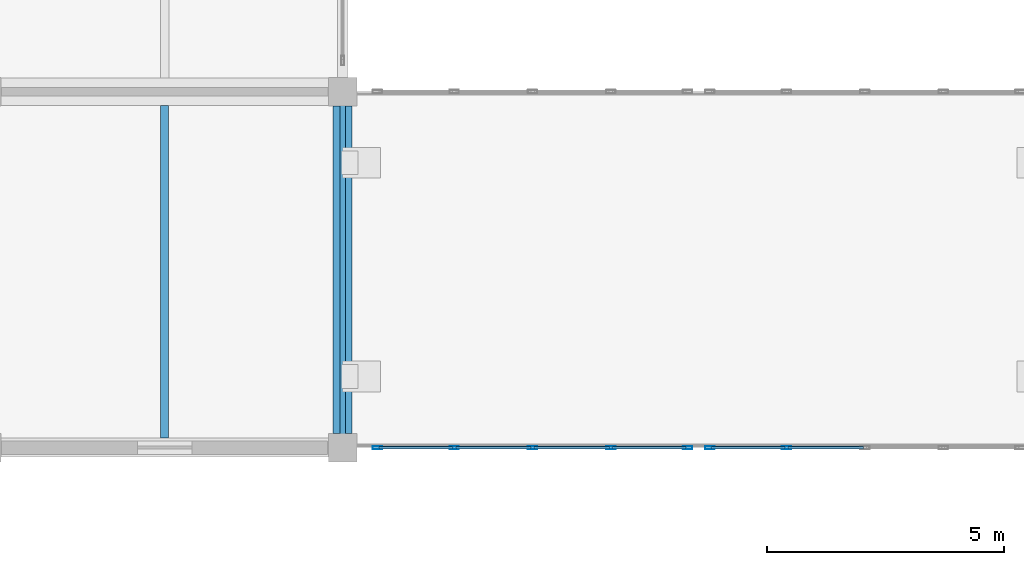
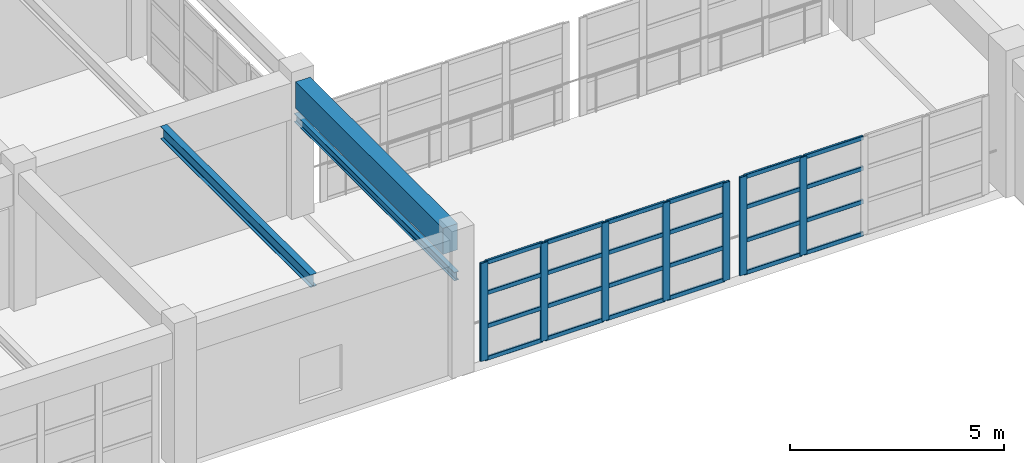
# One storey, part 44 of 124: 31 members, 3 beams, 2 elements without a shape of their own.
"""IFC4 building model written with IfcOpenShell, lengths in metres."""

from ifc_helpers import new_model, si_unit, direction, frame, origin, origin_2d, place, context, subcontext, project, spatial, rectangle, hollow_rectangle, i_section, extrude, material, material_profile, profile_set, type_object, element, aggregate, save


model = new_model("IFC4")

# Units and contexts
model_context = context("Model", 3, precision=1e-05, world=origin(), true_north=direction((0.0, 1.0)))
body_context = subcontext(model_context, "Body", "Model", "MODEL_VIEW")
ifc_project = project(units=[si_unit("LENGTHUNIT", "METRE"), si_unit("AREAUNIT", "SQUARE_METRE"), si_unit("VOLUMEUNIT", "CUBIC_METRE"), si_unit("PLANEANGLEUNIT", "RADIAN"), si_unit("MASSUNIT", "GRAM", prefix="KILO")], contexts=[model_context])

# Site, building, storey
site_placement = place(None, origin())
site = spatial("IfcSite", under=ifc_project, at=site_placement, CompositionType="ELEMENT")
building_placement = place(site_placement, origin())
building = spatial("IfcBuilding", under=site, at=building_placement, Name="Qasida Concert Hall", CompositionType="ELEMENT")
storey_placement = place(building_placement, frame((0.0, 0.0, 9.0)))
storey = spatial("IfcBuildingStorey", under=building, at=storey_placement, Name="L02", CompositionType="ELEMENT", Elevation=9.0)

# Beams
ifc_material_1 = material(Name="Steel S355J2", Category="steel")
ifc_material_profile_1 = material_profile(ifc_material_1, i_section(OverallWidth=0.169921875, OverallDepth=0.360107421875, WebThickness=0.008056640625, FlangeThickness=0.0126953125, FilletRadius=0.01806640625, at=origin_2d()), Name="IPE 360")
ifc_profile_set_1 = profile_set([ifc_material_profile_1], Name="Steel S355J2")
beam_type_1 = type_object("IfcBeamType", Name="BM-J2", PredefinedType="JOIST", material=ifc_profile_set_1)
beam_1_placement = place(storey_placement, frame((33.75, 75.199951171875, 3.719970703125), z_axis=(0.0, 1.0, 0.0), x_axis=(-1.0, 0.0, 0.0)))
element("IfcBeam", 1, at=beam_1_placement, inside=storey, type_object=beam_type_1, Name="L02 secondary joist 1505", PredefinedType="JOIST", context=body_context, shape_type="SweptSolid", body=[
    extrude(i_section(OverallWidth=0.169921875, OverallDepth=0.360107421875, WebThickness=0.008056640625, FlangeThickness=0.0126953125, FilletRadius=0.01806640625, at=origin_2d()), origin(), (0.0, 0.0, 1.0), 7.010009765625),
])
ifc_material_profile_2 = material_profile(ifc_material_1, i_section(OverallWidth=0.1201171875, OverallDepth=0.239990234375, WebThickness=0.006103515625, FlangeThickness=0.009765625, FilletRadius=0.014892578125, at=origin_2d()), Name="IPE 240")
ifc_profile_set_2 = profile_set([ifc_material_profile_2], Name="Steel S355J2")
beam_type_2 = type_object("IfcBeamType", Name="BM-LN2", PredefinedType="LINTEL", material=ifc_profile_set_2)
beam_2_placement = place(storey_placement, frame((37.5, 75.0, 2.64990234375), z_axis=(0.0, 1.0, 0.0), x_axis=(-1.0, 0.0, 0.0)))
element("IfcBeam", 2, at=beam_2_placement, inside=storey, type_object=beam_type_2, Name="L02 portal lintel beam 013", PredefinedType="LINTEL", context=body_context, shape_type="SweptSolid", body=[
    extrude(i_section(OverallWidth=0.1201171875, OverallDepth=0.239990234375, WebThickness=0.006103515625, FlangeThickness=0.009765625, FilletRadius=0.014892578125, at=origin_2d()), origin(), (0.0, 0.0, 1.0), 7.5),
])
ifc_material_2 = material(Name="Concrete C40/50", Category="concrete")
ifc_material_profile_3 = material_profile(ifc_material_2, rectangle(XDim=0.39990234375, YDim=0.75, at=origin_2d()), Name="RC 400x750")
ifc_profile_set_3 = profile_set([ifc_material_profile_3], Name="Concrete C40/50")
beam_type_3 = type_object("IfcBeamType", Name="BM-SP1", PredefinedType="SPANDREL", material=ifc_profile_set_3)
beam_3_placement = place(storey_placement, frame((37.5, 75.300048828125, 3.52490234375), z_axis=(0.0, 1.0, 0.0), x_axis=(-1.0, 0.0, 0.0)))
element("IfcBeam", 3, at=beam_3_placement, inside=storey, type_object=beam_type_3, Name="L02 girder 1482", PredefinedType="SPANDREL", context=body_context, shape_type="SweptSolid", body=[
    extrude(rectangle(XDim=0.39990234375, YDim=0.75, at=origin_2d()), origin(), (0.0, 0.0, 1.0), 6.89990234375),
])

# Curtain wall, members
ifc_material_3 = material(Name="Architectural bronze-anodized aluminium and low-E glass", Category="aluminium")
curtain_wall_type = type_object("IfcCurtainWallType", Name="CW-08", PredefinedType="NOTDEFINED", material=ifc_material_3)
curtain_wall_1_placement = place(storey_placement, origin())
curtain_wall_1 = element("IfcCurtainWall", 4, at=curtain_wall_1_placement, inside=storey, type_object=curtain_wall_type, Name="L02 link bridge glazing 0218", PredefinedType="NOTDEFINED")
ifc_material_4 = material(Name="Architectural bronze-anodized aluminium EN AW-6063", Category="aluminium")
ifc_material_profile_4 = material_profile(ifc_material_4, hollow_rectangle(XDim=0.06494140625, YDim=0.199951171875, WallThickness=0.0048828125, InnerFilletRadius=0.0048828125, OuterFilletRadius=0.010009765625, at=origin_2d()), Name="CWM 200x65x5")
ifc_profile_set_4 = profile_set([ifc_material_profile_4], Name="Architectural bronze-anodized aluminium EN AW-6063")
member_type_1 = type_object("IfcMemberType", Name="MB-CWM-2", PredefinedType="MULLION", material=ifc_profile_set_4)
member_1_placement = place(storey_placement, frame((38.232421875, 75.0, 0.0), z_axis=(0.0, 0.0, 1.0), x_axis=(0.0, 1.0, 0.0)))
member_1 = element("IfcMember", 5, at=member_1_placement, type_object=member_type_1, Name="CW-08 mullion 1", PredefinedType="MULLION", context=body_context, shape_type="SweptSolid", body=[
    extrude(hollow_rectangle(XDim=0.06494140625, YDim=0.199951171875, WallThickness=0.0048828125, InnerFilletRadius=0.0048828125, OuterFilletRadius=0.010009765625, at=origin_2d()), origin(), (0.0, 0.0, 1.0), 2.800048828125),
])
member_2_placement = place(storey_placement, frame((39.85009765625, 75.0, 0.0), z_axis=(0.0, 0.0, 1.0), x_axis=(0.0, 1.0, 0.0)))
member_2 = element("IfcMember", 6, at=member_2_placement, type_object=member_type_1, Name="CW-08 mullion 2", PredefinedType="MULLION", context=body_context, shape_type="SweptSolid", body=[
    extrude(hollow_rectangle(XDim=0.06494140625, YDim=0.199951171875, WallThickness=0.0048828125, InnerFilletRadius=0.0048828125, OuterFilletRadius=0.010009765625, at=origin_2d()), origin(), (0.0, 0.0, 1.0), 2.800048828125),
])
member_3_placement = place(storey_placement, frame((41.5, 75.0, 0.0), z_axis=(0.0, 0.0, 1.0), x_axis=(0.0, 1.0, 0.0)))
member_3 = element("IfcMember", 7, at=member_3_placement, type_object=member_type_1, Name="CW-08 mullion 3", PredefinedType="MULLION", context=body_context, shape_type="SweptSolid", body=[
    extrude(hollow_rectangle(XDim=0.06494140625, YDim=0.199951171875, WallThickness=0.0048828125, InnerFilletRadius=0.0048828125, OuterFilletRadius=0.010009765625, at=origin_2d()), origin(), (0.0, 0.0, 1.0), 2.800048828125),
])
member_4_placement = place(storey_placement, frame((43.14990234375, 75.0, 0.0), z_axis=(0.0, 0.0, 1.0), x_axis=(0.0, 1.0, 0.0)))
member_4 = element("IfcMember", 8, at=member_4_placement, type_object=member_type_1, Name="CW-08 mullion 4", PredefinedType="MULLION", context=body_context, shape_type="SweptSolid", body=[
    extrude(hollow_rectangle(XDim=0.06494140625, YDim=0.199951171875, WallThickness=0.0048828125, InnerFilletRadius=0.0048828125, OuterFilletRadius=0.010009765625, at=origin_2d()), origin(), (0.0, 0.0, 1.0), 2.800048828125),
])
member_5_placement = place(storey_placement, frame((44.767578125, 75.0, 0.0), z_axis=(0.0, 0.0, 1.0), x_axis=(0.0, 1.0, 0.0)))
member_5 = element("IfcMember", 9, at=member_5_placement, type_object=member_type_1, Name="CW-08 mullion 5", PredefinedType="MULLION", context=body_context, shape_type="SweptSolid", body=[
    extrude(hollow_rectangle(XDim=0.06494140625, YDim=0.199951171875, WallThickness=0.0048828125, InnerFilletRadius=0.0048828125, OuterFilletRadius=0.010009765625, at=origin_2d()), origin(), (0.0, 0.0, 1.0), 2.800048828125),
])

curtain_wall_2_placement = place(storey_placement, origin())
curtain_wall_2 = element("IfcCurtainWall", 10, at=curtain_wall_2_placement, inside=storey, type_object=curtain_wall_type, Name="L02 link bridge glazing 0220", PredefinedType="NOTDEFINED")
member_6_placement = place(storey_placement, frame((45.232421875, 75.0, 0.0), z_axis=(0.0, 0.0, 1.0), x_axis=(0.0, 1.0, 0.0)))
member_6 = element("IfcMember", 11, at=member_6_placement, type_object=member_type_1, Name="CW-08 mullion 1", PredefinedType="MULLION", context=body_context, shape_type="SweptSolid", body=[
    extrude(hollow_rectangle(XDim=0.06494140625, YDim=0.199951171875, WallThickness=0.0048828125, InnerFilletRadius=0.0048828125, OuterFilletRadius=0.010009765625, at=origin_2d()), origin(), (0.0, 0.0, 1.0), 2.800048828125),
])
member_7_placement = place(storey_placement, frame((46.85009765625, 75.0, 0.0), z_axis=(0.0, 0.0, 1.0), x_axis=(0.0, 1.0, 0.0)))
member_7 = element("IfcMember", 12, at=member_7_placement, type_object=member_type_1, Name="CW-08 mullion 2", PredefinedType="MULLION", context=body_context, shape_type="SweptSolid", body=[
    extrude(hollow_rectangle(XDim=0.06494140625, YDim=0.199951171875, WallThickness=0.0048828125, InnerFilletRadius=0.0048828125, OuterFilletRadius=0.010009765625, at=origin_2d()), origin(), (0.0, 0.0, 1.0), 2.800048828125),
])

# Member
ifc_material_profile_5 = material_profile(ifc_material_4, hollow_rectangle(XDim=0.06005859375, YDim=0.1201171875, WallThickness=0.00390625, InnerFilletRadius=0.00390625, OuterFilletRadius=0.008056640625, at=origin_2d()), Name="CWT 120x60x4")
ifc_profile_set_5 = profile_set([ifc_material_profile_5], Name="Architectural bronze-anodized aluminium EN AW-6063")
member_type_2 = type_object("IfcMemberType", Name="MB-CWT-2", PredefinedType="USERDEFINED", material=ifc_profile_set_5)
member_8_placement = place(storey_placement, frame((38.264892578125, 75.0, 0.030029296875), z_axis=(1.0, 0.0, 0.0), x_axis=(0.0, 1.0, 0.0)))
member_8 = element("IfcMember", 13, at=member_8_placement, type_object=member_type_2, Name="CW-08 transom 1.1", ObjectType="TRANSOM", PredefinedType="USERDEFINED", context=body_context, shape_type="SweptSolid", body=[
    extrude(hollow_rectangle(XDim=0.06005859375, YDim=0.1201171875, WallThickness=0.00390625, InnerFilletRadius=0.00390625, OuterFilletRadius=0.008056640625, at=origin_2d()), origin(), (0.0, 0.0, 1.0), 1.552490234375),
])

member_9_placement = place(storey_placement, frame((38.264892578125, 75.0, 0.949951171875), z_axis=(1.0, 0.0, 0.0), x_axis=(0.0, 1.0, 0.0)))
member_9 = element("IfcMember", 14, at=member_9_placement, type_object=member_type_2, Name="CW-08 transom 1.2", ObjectType="TRANSOM", PredefinedType="USERDEFINED", context=body_context, shape_type="SweptSolid", body=[
    extrude(hollow_rectangle(XDim=0.06005859375, YDim=0.1201171875, WallThickness=0.00390625, InnerFilletRadius=0.00390625, OuterFilletRadius=0.008056640625, at=origin_2d()), origin(), (0.0, 0.0, 1.0), 1.552490234375),
])

member_10_placement = place(storey_placement, frame((38.264892578125, 75.0, 1.89990234375), z_axis=(1.0, 0.0, 0.0), x_axis=(0.0, 1.0, 0.0)))
member_10 = element("IfcMember", 15, at=member_10_placement, type_object=member_type_2, Name="CW-08 transom 1.3", ObjectType="TRANSOM", PredefinedType="USERDEFINED", context=body_context, shape_type="SweptSolid", body=[
    extrude(hollow_rectangle(XDim=0.06005859375, YDim=0.1201171875, WallThickness=0.00390625, InnerFilletRadius=0.00390625, OuterFilletRadius=0.008056640625, at=origin_2d()), origin(), (0.0, 0.0, 1.0), 1.552490234375),
])

member_11_placement = place(storey_placement, frame((38.264892578125, 75.0, 2.77001953125), z_axis=(1.0, 0.0, 0.0), x_axis=(0.0, 1.0, 0.0)))
member_11 = element("IfcMember", 16, at=member_11_placement, type_object=member_type_2, Name="CW-08 transom 1.4", ObjectType="TRANSOM", PredefinedType="USERDEFINED", context=body_context, shape_type="SweptSolid", body=[
    extrude(hollow_rectangle(XDim=0.06005859375, YDim=0.1201171875, WallThickness=0.00390625, InnerFilletRadius=0.00390625, OuterFilletRadius=0.008056640625, at=origin_2d()), origin(), (0.0, 0.0, 1.0), 1.552490234375),
])

member_12_placement = place(storey_placement, frame((39.882568359375, 75.0, 0.030029296875), z_axis=(1.0, 0.0, 0.0), x_axis=(0.0, 1.0, 0.0)))
member_12 = element("IfcMember", 17, at=member_12_placement, type_object=member_type_2, Name="CW-08 transom 2.1", ObjectType="TRANSOM", PredefinedType="USERDEFINED", context=body_context, shape_type="SweptSolid", body=[
    extrude(hollow_rectangle(XDim=0.06005859375, YDim=0.1201171875, WallThickness=0.00390625, InnerFilletRadius=0.00390625, OuterFilletRadius=0.008056640625, at=origin_2d()), origin(), (0.0, 0.0, 1.0), 1.5849609375),
])

member_13_placement = place(storey_placement, frame((39.882568359375, 75.0, 0.949951171875), z_axis=(1.0, 0.0, 0.0), x_axis=(0.0, 1.0, 0.0)))
member_13 = element("IfcMember", 18, at=member_13_placement, type_object=member_type_2, Name="CW-08 transom 2.2", ObjectType="TRANSOM", PredefinedType="USERDEFINED", context=body_context, shape_type="SweptSolid", body=[
    extrude(hollow_rectangle(XDim=0.06005859375, YDim=0.1201171875, WallThickness=0.00390625, InnerFilletRadius=0.00390625, OuterFilletRadius=0.008056640625, at=origin_2d()), origin(), (0.0, 0.0, 1.0), 1.5849609375),
])

member_14_placement = place(storey_placement, frame((39.882568359375, 75.0, 1.89990234375), z_axis=(1.0, 0.0, 0.0), x_axis=(0.0, 1.0, 0.0)))
member_14 = element("IfcMember", 19, at=member_14_placement, type_object=member_type_2, Name="CW-08 transom 2.3", ObjectType="TRANSOM", PredefinedType="USERDEFINED", context=body_context, shape_type="SweptSolid", body=[
    extrude(hollow_rectangle(XDim=0.06005859375, YDim=0.1201171875, WallThickness=0.00390625, InnerFilletRadius=0.00390625, OuterFilletRadius=0.008056640625, at=origin_2d()), origin(), (0.0, 0.0, 1.0), 1.5849609375),
])

member_15_placement = place(storey_placement, frame((39.882568359375, 75.0, 2.77001953125), z_axis=(1.0, 0.0, 0.0), x_axis=(0.0, 1.0, 0.0)))
member_15 = element("IfcMember", 20, at=member_15_placement, type_object=member_type_2, Name="CW-08 transom 2.4", ObjectType="TRANSOM", PredefinedType="USERDEFINED", context=body_context, shape_type="SweptSolid", body=[
    extrude(hollow_rectangle(XDim=0.06005859375, YDim=0.1201171875, WallThickness=0.00390625, InnerFilletRadius=0.00390625, OuterFilletRadius=0.008056640625, at=origin_2d()), origin(), (0.0, 0.0, 1.0), 1.5849609375),
])

member_16_placement = place(storey_placement, frame((41.532470703125, 75.0, 0.030029296875), z_axis=(1.0, 0.0, 0.0), x_axis=(0.0, 1.0, 0.0)))
member_16 = element("IfcMember", 21, at=member_16_placement, type_object=member_type_2, Name="CW-08 transom 3.1", ObjectType="TRANSOM", PredefinedType="USERDEFINED", context=body_context, shape_type="SweptSolid", body=[
    extrude(hollow_rectangle(XDim=0.06005859375, YDim=0.1201171875, WallThickness=0.00390625, InnerFilletRadius=0.00390625, OuterFilletRadius=0.008056640625, at=origin_2d()), origin(), (0.0, 0.0, 1.0), 1.5849609375),
])

member_17_placement = place(storey_placement, frame((41.532470703125, 75.0, 0.949951171875), z_axis=(1.0, 0.0, 0.0), x_axis=(0.0, 1.0, 0.0)))
member_17 = element("IfcMember", 22, at=member_17_placement, type_object=member_type_2, Name="CW-08 transom 3.2", ObjectType="TRANSOM", PredefinedType="USERDEFINED", context=body_context, shape_type="SweptSolid", body=[
    extrude(hollow_rectangle(XDim=0.06005859375, YDim=0.1201171875, WallThickness=0.00390625, InnerFilletRadius=0.00390625, OuterFilletRadius=0.008056640625, at=origin_2d()), origin(), (0.0, 0.0, 1.0), 1.5849609375),
])

member_18_placement = place(storey_placement, frame((41.532470703125, 75.0, 1.89990234375), z_axis=(1.0, 0.0, 0.0), x_axis=(0.0, 1.0, 0.0)))
member_18 = element("IfcMember", 23, at=member_18_placement, type_object=member_type_2, Name="CW-08 transom 3.3", ObjectType="TRANSOM", PredefinedType="USERDEFINED", context=body_context, shape_type="SweptSolid", body=[
    extrude(hollow_rectangle(XDim=0.06005859375, YDim=0.1201171875, WallThickness=0.00390625, InnerFilletRadius=0.00390625, OuterFilletRadius=0.008056640625, at=origin_2d()), origin(), (0.0, 0.0, 1.0), 1.5849609375),
])

member_19_placement = place(storey_placement, frame((41.532470703125, 75.0, 2.77001953125), z_axis=(1.0, 0.0, 0.0), x_axis=(0.0, 1.0, 0.0)))
member_19 = element("IfcMember", 24, at=member_19_placement, type_object=member_type_2, Name="CW-08 transom 3.4", ObjectType="TRANSOM", PredefinedType="USERDEFINED", context=body_context, shape_type="SweptSolid", body=[
    extrude(hollow_rectangle(XDim=0.06005859375, YDim=0.1201171875, WallThickness=0.00390625, InnerFilletRadius=0.00390625, OuterFilletRadius=0.008056640625, at=origin_2d()), origin(), (0.0, 0.0, 1.0), 1.5849609375),
])

member_20_placement = place(storey_placement, frame((43.1826171875, 75.0, 0.030029296875), z_axis=(1.0, 0.0, 0.0), x_axis=(0.0, 1.0, 0.0)))
member_20 = element("IfcMember", 25, at=member_20_placement, type_object=member_type_2, Name="CW-08 transom 4.1", ObjectType="TRANSOM", PredefinedType="USERDEFINED", context=body_context, shape_type="SweptSolid", body=[
    extrude(hollow_rectangle(XDim=0.06005859375, YDim=0.1201171875, WallThickness=0.00390625, InnerFilletRadius=0.00390625, OuterFilletRadius=0.008056640625, at=origin_2d()), origin(), (0.0, 0.0, 1.0), 1.552490234375),
])

member_21_placement = place(storey_placement, frame((43.1826171875, 75.0, 0.949951171875), z_axis=(1.0, 0.0, 0.0), x_axis=(0.0, 1.0, 0.0)))
member_21 = element("IfcMember", 26, at=member_21_placement, type_object=member_type_2, Name="CW-08 transom 4.2", ObjectType="TRANSOM", PredefinedType="USERDEFINED", context=body_context, shape_type="SweptSolid", body=[
    extrude(hollow_rectangle(XDim=0.06005859375, YDim=0.1201171875, WallThickness=0.00390625, InnerFilletRadius=0.00390625, OuterFilletRadius=0.008056640625, at=origin_2d()), origin(), (0.0, 0.0, 1.0), 1.552490234375),
])

member_22_placement = place(storey_placement, frame((43.1826171875, 75.0, 1.89990234375), z_axis=(1.0, 0.0, 0.0), x_axis=(0.0, 1.0, 0.0)))
member_22 = element("IfcMember", 27, at=member_22_placement, type_object=member_type_2, Name="CW-08 transom 4.3", ObjectType="TRANSOM", PredefinedType="USERDEFINED", context=body_context, shape_type="SweptSolid", body=[
    extrude(hollow_rectangle(XDim=0.06005859375, YDim=0.1201171875, WallThickness=0.00390625, InnerFilletRadius=0.00390625, OuterFilletRadius=0.008056640625, at=origin_2d()), origin(), (0.0, 0.0, 1.0), 1.552490234375),
])

member_23_placement = place(storey_placement, frame((43.1826171875, 75.0, 2.77001953125), z_axis=(1.0, 0.0, 0.0), x_axis=(0.0, 1.0, 0.0)))
member_23 = element("IfcMember", 28, at=member_23_placement, type_object=member_type_2, Name="CW-08 transom 4.4", ObjectType="TRANSOM", PredefinedType="USERDEFINED", context=body_context, shape_type="SweptSolid", body=[
    extrude(hollow_rectangle(XDim=0.06005859375, YDim=0.1201171875, WallThickness=0.00390625, InnerFilletRadius=0.00390625, OuterFilletRadius=0.008056640625, at=origin_2d()), origin(), (0.0, 0.0, 1.0), 1.552490234375),
])

aggregate(curtain_wall_1, [member_1, member_2, member_3, member_4, member_5, member_8, member_9, member_10, member_11, member_12, member_13, member_14, member_15, member_16, member_17, member_18, member_19, member_20, member_21, member_22, member_23])

member_24_placement = place(storey_placement, frame((45.264892578125, 75.0, 0.030029296875), z_axis=(1.0, 0.0, 0.0), x_axis=(0.0, 1.0, 0.0)))
member_24 = element("IfcMember", 29, at=member_24_placement, type_object=member_type_2, Name="CW-08 transom 1.1", ObjectType="TRANSOM", PredefinedType="USERDEFINED", context=body_context, shape_type="SweptSolid", body=[
    extrude(hollow_rectangle(XDim=0.06005859375, YDim=0.1201171875, WallThickness=0.00390625, InnerFilletRadius=0.00390625, OuterFilletRadius=0.008056640625, at=origin_2d()), origin(), (0.0, 0.0, 1.0), 1.552490234375),
])

member_25_placement = place(storey_placement, frame((45.264892578125, 75.0, 0.949951171875), z_axis=(1.0, 0.0, 0.0), x_axis=(0.0, 1.0, 0.0)))
member_25 = element("IfcMember", 30, at=member_25_placement, type_object=member_type_2, Name="CW-08 transom 1.2", ObjectType="TRANSOM", PredefinedType="USERDEFINED", context=body_context, shape_type="SweptSolid", body=[
    extrude(hollow_rectangle(XDim=0.06005859375, YDim=0.1201171875, WallThickness=0.00390625, InnerFilletRadius=0.00390625, OuterFilletRadius=0.008056640625, at=origin_2d()), origin(), (0.0, 0.0, 1.0), 1.552490234375),
])

member_26_placement = place(storey_placement, frame((45.264892578125, 75.0, 1.89990234375), z_axis=(1.0, 0.0, 0.0), x_axis=(0.0, 1.0, 0.0)))
member_26 = element("IfcMember", 31, at=member_26_placement, type_object=member_type_2, Name="CW-08 transom 1.3", ObjectType="TRANSOM", PredefinedType="USERDEFINED", context=body_context, shape_type="SweptSolid", body=[
    extrude(hollow_rectangle(XDim=0.06005859375, YDim=0.1201171875, WallThickness=0.00390625, InnerFilletRadius=0.00390625, OuterFilletRadius=0.008056640625, at=origin_2d()), origin(), (0.0, 0.0, 1.0), 1.552490234375),
])

member_27_placement = place(storey_placement, frame((45.264892578125, 75.0, 2.77001953125), z_axis=(1.0, 0.0, 0.0), x_axis=(0.0, 1.0, 0.0)))
member_27 = element("IfcMember", 32, at=member_27_placement, type_object=member_type_2, Name="CW-08 transom 1.4", ObjectType="TRANSOM", PredefinedType="USERDEFINED", context=body_context, shape_type="SweptSolid", body=[
    extrude(hollow_rectangle(XDim=0.06005859375, YDim=0.1201171875, WallThickness=0.00390625, InnerFilletRadius=0.00390625, OuterFilletRadius=0.008056640625, at=origin_2d()), origin(), (0.0, 0.0, 1.0), 1.552490234375),
])

member_28_placement = place(storey_placement, frame((46.882568359375, 75.0, 0.030029296875), z_axis=(1.0, 0.0, 0.0), x_axis=(0.0, 1.0, 0.0)))
member_28 = element("IfcMember", 33, at=member_28_placement, type_object=member_type_2, Name="CW-08 transom 2.1", ObjectType="TRANSOM", PredefinedType="USERDEFINED", context=body_context, shape_type="SweptSolid", body=[
    extrude(hollow_rectangle(XDim=0.06005859375, YDim=0.1201171875, WallThickness=0.00390625, InnerFilletRadius=0.00390625, OuterFilletRadius=0.008056640625, at=origin_2d()), origin(), (0.0, 0.0, 1.0), 1.5849609375),
])

member_29_placement = place(storey_placement, frame((46.882568359375, 75.0, 0.949951171875), z_axis=(1.0, 0.0, 0.0), x_axis=(0.0, 1.0, 0.0)))
member_29 = element("IfcMember", 34, at=member_29_placement, type_object=member_type_2, Name="CW-08 transom 2.2", ObjectType="TRANSOM", PredefinedType="USERDEFINED", context=body_context, shape_type="SweptSolid", body=[
    extrude(hollow_rectangle(XDim=0.06005859375, YDim=0.1201171875, WallThickness=0.00390625, InnerFilletRadius=0.00390625, OuterFilletRadius=0.008056640625, at=origin_2d()), origin(), (0.0, 0.0, 1.0), 1.5849609375),
])

member_30_placement = place(storey_placement, frame((46.882568359375, 75.0, 1.89990234375), z_axis=(1.0, 0.0, 0.0), x_axis=(0.0, 1.0, 0.0)))
member_30 = element("IfcMember", 35, at=member_30_placement, type_object=member_type_2, Name="CW-08 transom 2.3", ObjectType="TRANSOM", PredefinedType="USERDEFINED", context=body_context, shape_type="SweptSolid", body=[
    extrude(hollow_rectangle(XDim=0.06005859375, YDim=0.1201171875, WallThickness=0.00390625, InnerFilletRadius=0.00390625, OuterFilletRadius=0.008056640625, at=origin_2d()), origin(), (0.0, 0.0, 1.0), 1.5849609375),
])

member_31_placement = place(storey_placement, frame((46.882568359375, 75.0, 2.77001953125), z_axis=(1.0, 0.0, 0.0), x_axis=(0.0, 1.0, 0.0)))
member_31 = element("IfcMember", 36, at=member_31_placement, type_object=member_type_2, Name="CW-08 transom 2.4", ObjectType="TRANSOM", PredefinedType="USERDEFINED", context=body_context, shape_type="SweptSolid", body=[
    extrude(hollow_rectangle(XDim=0.06005859375, YDim=0.1201171875, WallThickness=0.00390625, InnerFilletRadius=0.00390625, OuterFilletRadius=0.008056640625, at=origin_2d()), origin(), (0.0, 0.0, 1.0), 1.5849609375),
])

aggregate(curtain_wall_2, [member_6, member_7, member_24, member_25, member_26, member_27, member_28, member_29, member_30, member_31])

save(model, "model.ifc")
